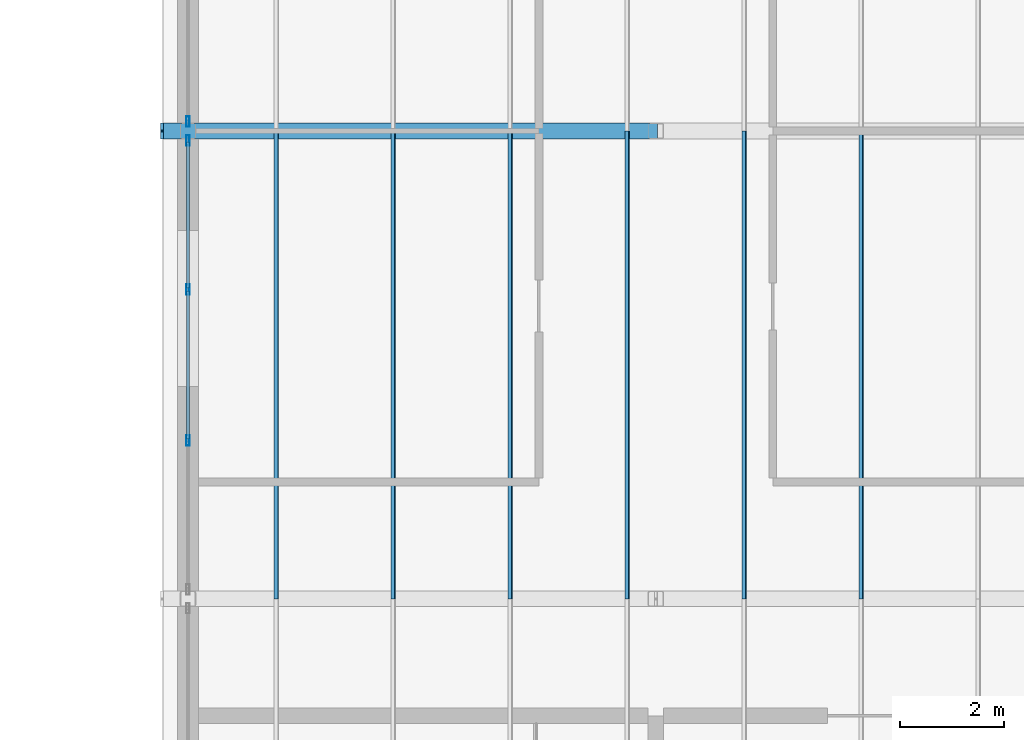
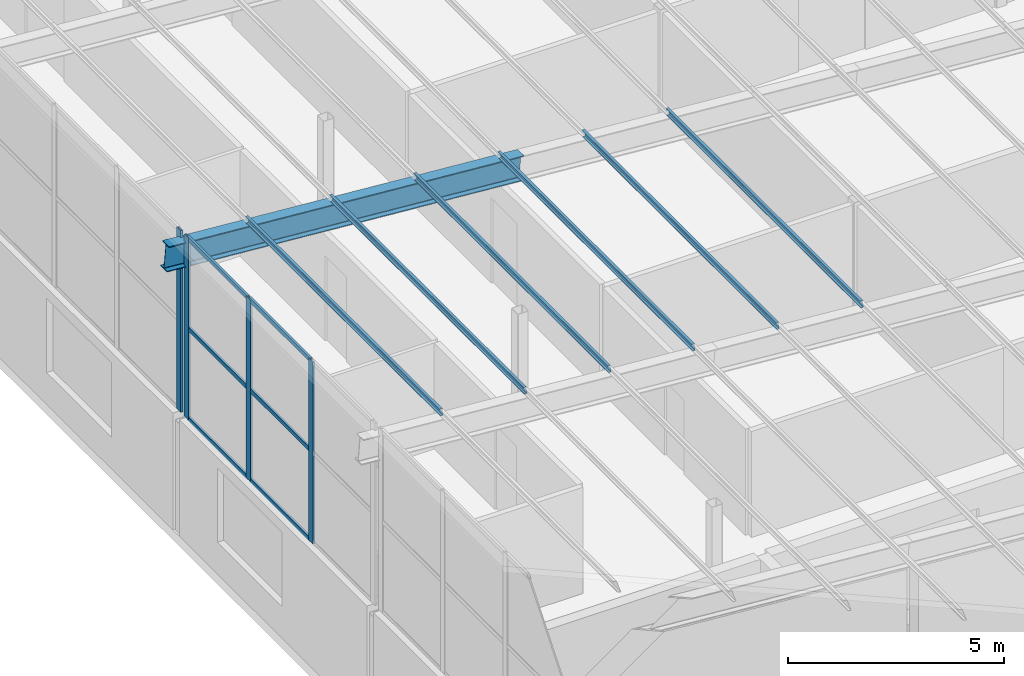
# One storey, part 27 of 85: 17 members, 2 elements without a shape of their own.
"""IFC4 building model written with IfcOpenShell, lengths in metres."""

from ifc_helpers import new_model, si_unit, direction, frame, origin, origin_2d, place, context, subcontext, project, spatial, polyline, hollow_rectangle, i_section, outline, extrude, material, layer, layer_set, material_profile, profile_set, type_object, element, aggregate, save


model = new_model("IFC4")

# Units and contexts
model_context = context("Model", 3, precision=1e-05, world=origin(), true_north=direction((0.0, 1.0)))
body_context = subcontext(model_context, "Body", "Model", "MODEL_VIEW")
ifc_project = project(units=[si_unit("LENGTHUNIT", "METRE"), si_unit("AREAUNIT", "SQUARE_METRE"), si_unit("VOLUMEUNIT", "CUBIC_METRE"), si_unit("PLANEANGLEUNIT", "RADIAN"), si_unit("MASSUNIT", "GRAM", prefix="KILO")], contexts=[model_context])

# Site, building, storey
site_placement = place(None, origin())
site = spatial("IfcSite", under=ifc_project, at=site_placement, CompositionType="ELEMENT")
building_placement = place(site_placement, origin())
building = spatial("IfcBuilding", under=site, at=building_placement, Name="Opaline Strait Convention Centre", CompositionType="ELEMENT")
storey_placement = place(building_placement, frame((0.0, 0.0, 17.0)))
storey = spatial("IfcBuildingStorey", under=building, at=storey_placement, Name="L03", CompositionType="ELEMENT", Elevation=17.0)

# Curtain wall, members
ifc_material_1 = material(Name="Aluminium framed double glazing", Category="aluminium")
ifc_layer = layer(ifc_material_1, 0.199951171875)
ifc_layer_set = layer_set([ifc_layer], Name="Aluminium framed double glazing")
curtain_wall_type = type_object("IfcCurtainWallType", Name="Curtain wall 3000 module unitised", PredefinedType="NOTDEFINED", material=ifc_layer_set)
curtain_wall_1_placement = place(storey_placement, origin())
curtain_wall_1 = element("IfcCurtainWall", 1, at=curtain_wall_1_placement, inside=storey, type_object=curtain_wall_type, Name="Clerestory curtain wall W L03 32/M", PredefinedType="NOTDEFINED")
ifc_material_2 = material(Name="Aluminium alloy 6063", Category="aluminium")
ifc_material_profile_1 = material_profile(ifc_material_2, hollow_rectangle(XDim=0.06005859375, YDim=0.199951171875, WallThickness=0.00390625, at=origin_2d()), Name="MULLION 60x200x4")
ifc_profile_set_1 = profile_set([ifc_material_profile_1], Name="Aluminium alloy 6063")
member_type_1 = type_object("IfcMemberType", Name="Curtain wall mullion 60 x 200", PredefinedType="MULLION", material=ifc_profile_set_1)
member_1_placement = place(storey_placement, frame((279.0, 102.050048828125, 3.300048828125), z_axis=(0.0, 0.0, 1.0), x_axis=(-1.0, 0.0, 0.0)))
member_1 = element("IfcMember", 2, at=member_1_placement, type_object=member_type_1, Name="MCWR1 mullion 2", PredefinedType="MULLION", context=body_context, shape_type="SweptSolid", body=[
    extrude(hollow_rectangle(XDim=0.06005859375, YDim=0.199951171875, WallThickness=0.00390625, at=origin_2d()), origin(), (0.0, 0.0, 1.0), 5.144287109375),
])
member_2_placement = place(storey_placement, frame((279.0, 104.949951171875, 3.300048828125), z_axis=(0.0, 0.0, 1.0), x_axis=(-1.0, 0.0, 0.0)))
member_2 = element("IfcMember", 3, at=member_2_placement, type_object=member_type_1, Name="MCWR1 mullion 3", PredefinedType="MULLION", context=body_context, shape_type="SweptSolid", body=[
    extrude(hollow_rectangle(XDim=0.06005859375, YDim=0.199951171875, WallThickness=0.00390625, at=origin_2d()), origin(), (0.0, 0.0, 1.0), 5.144287109375),
])
member_3_placement = place(storey_placement, frame((279.0, 107.820068359375, 3.300048828125), z_axis=(0.0, 0.0, 1.0), x_axis=(-1.0, 0.0, 0.0)))
member_3 = element("IfcMember", 4, at=member_3_placement, type_object=member_type_1, Name="MCWR1 mullion 4", PredefinedType="MULLION", context=body_context, shape_type="SweptSolid", body=[
    extrude(hollow_rectangle(XDim=0.06005859375, YDim=0.199951171875, WallThickness=0.00390625, at=origin_2d()), origin(), (0.0, 0.0, 1.0), 5.144287109375),
])

# Curtain wall, member
curtain_wall_2_placement = place(storey_placement, origin())
curtain_wall_2 = element("IfcCurtainWall", 5, at=curtain_wall_2_placement, inside=storey, type_object=curtain_wall_type, Name="Clerestory curtain wall W L03 32/N", PredefinedType="NOTDEFINED")
member_4_placement = place(storey_placement, frame((279.0, 108.179931640625, 3.300048828125), z_axis=(0.0, 0.0, 1.0), x_axis=(-1.0, 0.0, 0.0)))
member_4 = element("IfcMember", 6, at=member_4_placement, type_object=member_type_1, Name="MCWR1 mullion 1", PredefinedType="MULLION", context=body_context, shape_type="SweptSolid", body=[
    extrude(hollow_rectangle(XDim=0.06005859375, YDim=0.199951171875, WallThickness=0.00390625, at=origin_2d()), origin(), (0.0, 0.0, 1.0), 5.144287109375),
])
aggregate(curtain_wall_2, [member_4])

# Member
ifc_material_profile_2 = material_profile(ifc_material_2, hollow_rectangle(XDim=0.06005859375, YDim=0.1201171875, WallThickness=0.0029296875, at=origin_2d()), Name="TRANSOM 60x120x3")
ifc_profile_set_2 = profile_set([ifc_material_profile_2], Name="Aluminium alloy 6063")
member_type_2 = type_object("IfcMemberType", Name="Curtain wall transom 60 x 120", PredefinedType="USERDEFINED", material=ifc_profile_set_2)
member_5_placement = place(storey_placement, frame((279.0, 102.080078125, 3.330078125), z_axis=(0.0, 1.0, 0.0), x_axis=(-1.0, 0.0, 0.0)))
member_5 = element("IfcMember", 7, at=member_5_placement, type_object=member_type_2, Name="MCWR1 transom 2.1", ObjectType="TRANSOM", PredefinedType="USERDEFINED", context=body_context, shape_type="SweptSolid", body=[
    extrude(hollow_rectangle(XDim=0.06005859375, YDim=0.1201171875, WallThickness=0.0029296875, at=origin_2d()), origin(), (0.0, 0.0, 1.0), 2.83984375),
])

member_6_placement = place(storey_placement, frame((279.0, 102.080078125, 5.872314453125), z_axis=(0.0, 1.0, 0.0), x_axis=(-1.0, 0.0, 0.0)))
member_6 = element("IfcMember", 8, at=member_6_placement, type_object=member_type_2, Name="MCWR1 transom 2.2", ObjectType="TRANSOM", PredefinedType="USERDEFINED", context=body_context, shape_type="SweptSolid", body=[
    extrude(hollow_rectangle(XDim=0.06005859375, YDim=0.1201171875, WallThickness=0.0029296875, at=origin_2d()), origin(), (0.0, 0.0, 1.0), 2.83984375),
])

member_7_placement = place(storey_placement, frame((279.0, 102.080078125, 8.414306640625), z_axis=(0.0, 1.0, 0.0), x_axis=(-1.0, 0.0, 0.0)))
member_7 = element("IfcMember", 9, at=member_7_placement, type_object=member_type_2, Name="MCWR1 transom 2.3", ObjectType="TRANSOM", PredefinedType="USERDEFINED", context=body_context, shape_type="SweptSolid", body=[
    extrude(hollow_rectangle(XDim=0.06005859375, YDim=0.1201171875, WallThickness=0.0029296875, at=origin_2d()), origin(), (0.0, 0.0, 1.0), 2.83984375),
])

member_8_placement = place(storey_placement, frame((279.0, 104.97998046875, 3.330078125), z_axis=(0.0, 1.0, 0.0), x_axis=(-1.0, 0.0, 0.0)))
member_8 = element("IfcMember", 10, at=member_8_placement, type_object=member_type_2, Name="MCWR1 transom 3.1", ObjectType="TRANSOM", PredefinedType="USERDEFINED", context=body_context, shape_type="SweptSolid", body=[
    extrude(hollow_rectangle(XDim=0.06005859375, YDim=0.1201171875, WallThickness=0.0029296875, at=origin_2d()), origin(), (0.0, 0.0, 1.0), 2.81005859375),
])

member_9_placement = place(storey_placement, frame((279.0, 104.97998046875, 5.872314453125), z_axis=(0.0, 1.0, 0.0), x_axis=(-1.0, 0.0, 0.0)))
member_9 = element("IfcMember", 11, at=member_9_placement, type_object=member_type_2, Name="MCWR1 transom 3.2", ObjectType="TRANSOM", PredefinedType="USERDEFINED", context=body_context, shape_type="SweptSolid", body=[
    extrude(hollow_rectangle(XDim=0.06005859375, YDim=0.1201171875, WallThickness=0.0029296875, at=origin_2d()), origin(), (0.0, 0.0, 1.0), 2.81005859375),
])

member_10_placement = place(storey_placement, frame((279.0, 104.97998046875, 8.414306640625), z_axis=(0.0, 1.0, 0.0), x_axis=(-1.0, 0.0, 0.0)))
member_10 = element("IfcMember", 12, at=member_10_placement, type_object=member_type_2, Name="MCWR1 transom 3.3", ObjectType="TRANSOM", PredefinedType="USERDEFINED", context=body_context, shape_type="SweptSolid", body=[
    extrude(hollow_rectangle(XDim=0.06005859375, YDim=0.1201171875, WallThickness=0.0029296875, at=origin_2d()), origin(), (0.0, 0.0, 1.0), 2.81005859375),
])

aggregate(curtain_wall_1, [member_1, member_2, member_3, member_5, member_6, member_7, member_8, member_9, member_10])

# Members
ifc_material_3 = material(Name="Steel Q355B", Category="steel")
ifc_material_profile_3 = material_profile(ifc_material_3, outline(polyline([(-0.034912109375, -0.10009765625), (0.034912109375, -0.10009765625), (0.034912109375, -0.080078125), (0.032470703125, -0.080078125), (0.032470703125, -0.097412109375), (-0.032470703125, -0.097412109375), (-0.032470703125, 0.097412109375), (0.032470703125, 0.097412109375), (0.032470703125, 0.080078125), (0.034912109375, 0.080078125), (0.034912109375, 0.10009765625), (-0.034912109375, 0.10009765625), (-0.034912109375, -0.10009765625)])), Name="C 200x70x20x2.5")
ifc_profile_set_3 = profile_set([ifc_material_profile_3], Name="Steel Q355B")
member_type_3 = type_object("IfcMemberType", Name="Roof purlin C 200x70x20x2.5", PredefinedType="PURLIN", material=ifc_profile_set_3)
for number, where, z_axis, x_axis, name in (
    (13, (291.949951171875, 99.0, 7.324951171875), (0.0, 1.0, 0.0), (-0.996917333733, 0.0, -0.078459095728), "MRP1 purlin W wing 152"),
    (14, (289.699951171875, 99.0, 7.501953125), (0.0, 1.0, 0.0), (-0.996917333733, 0.0, -0.078459095728), "MRP1 purlin W wing 162"),
    (15, (287.449951171875, 99.0, 7.678955078125), (0.0, 1.0, 0.0), (-0.996917333733, 0.0, -0.078459095728), "MRP1 purlin W wing 172"),
    (16, (285.199951171875, 99.0, 7.856201171875), (0.0, 1.0, 0.0), (-0.996917333733, 0.0, -0.078459095728), "MRP1 purlin W wing 182"),
    (17, (282.949951171875, 99.0, 8.033203125), (0.0, 1.0, 0.0), (-0.996917333733, 0.0, -0.078459095728), "MRP1 purlin W wing 192"),
    (18, (280.699951171875, 99.0, 8.210205078125), (0.0, 1.0, 0.0), (-0.996917333733, 0.0, -0.078459095728), "MRP1 purlin W wing 202"),
):
    element("IfcMember", number, at=place(storey_placement, frame(where, z_axis=z_axis, x_axis=x_axis)), inside=storey, type_object=member_type_3, Name=name, PredefinedType="PURLIN", context=body_context, shape_type="SweptSolid", body=[
        extrude(outline(polyline([(-0.034912109375, -0.10009765625), (0.034912109375, -0.10009765625), (0.034912109375, -0.080078125), (0.032470703125, -0.080078125), (0.032470703125, -0.097412109375), (-0.032470703125, -0.097412109375), (-0.032470703125, 0.097412109375), (0.032470703125, 0.097412109375), (0.032470703125, 0.080078125), (0.034912109375, 0.080078125), (0.034912109375, 0.10009765625), (-0.034912109375, 0.10009765625), (-0.034912109375, -0.10009765625)])), origin(), (0.0, 0.0, 1.0), 9.0),
    ])
ifc_material_profile_4 = material_profile(ifc_material_3, i_section(OverallWidth=0.300048828125, OverallDepth=0.699951171875, WebThickness=0.012939453125, FlangeThickness=0.02392578125, FilletRadius=0.01806640625, at=origin_2d()), Name="HN 700x300x13x24")
ifc_profile_set_4 = profile_set([ifc_material_profile_4], Name="Steel Q355B")
member_type_4 = type_object("IfcMemberType", Name="Roof rafter HN 700x300x13x24", PredefinedType="RAFTER", material=ifc_profile_set_4)
member_11_placement = place(storey_placement, frame((278.5, 108.0, 7.93212890625), z_axis=(0.996916213079, 0.0, -0.078473333693), x_axis=(0.0, 1.0, 0.0)))
element("IfcMember", 19, at=member_11_placement, inside=storey, type_object=member_type_4, Name="MRR1 rafter y 108", PredefinedType="RAFTER", context=body_context, shape_type="SweptSolid", body=[
    extrude(i_section(OverallWidth=0.300048828125, OverallDepth=0.699951171875, WebThickness=0.012939453125, FlangeThickness=0.02392578125, FilletRadius=0.01806640625, at=origin_2d()), origin(), (0.0, 0.0, 1.0), 9.529296875),
])

save(model, "model.ifc")
